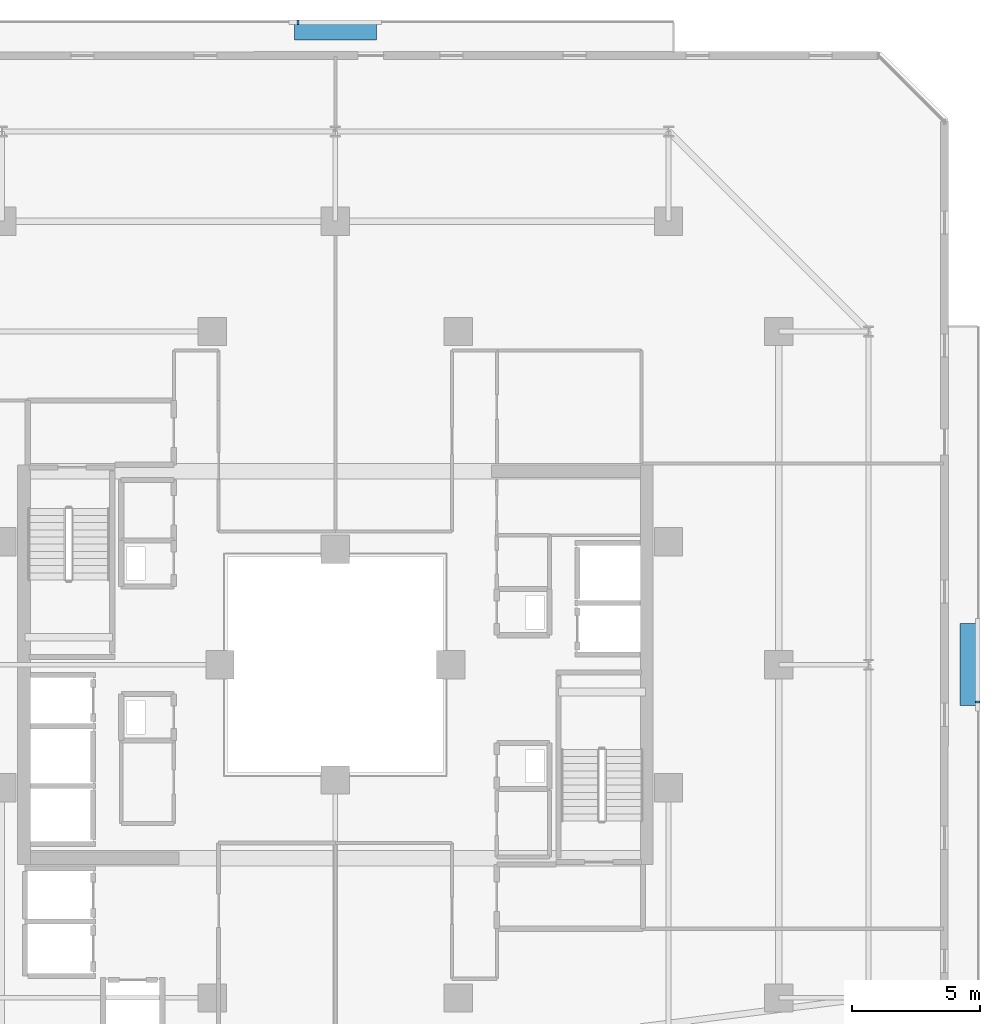
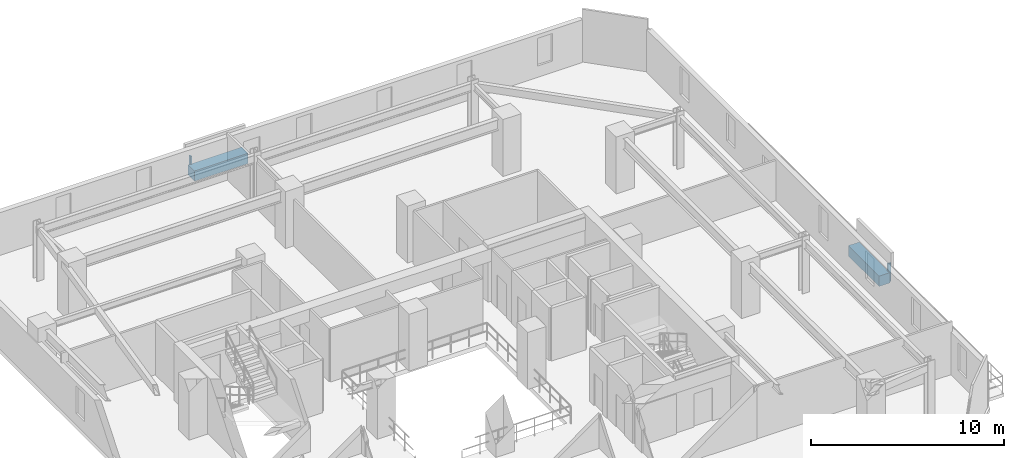
# One storey, part 28 of 32: 4 discrete accessories.
"""IFC4 building model written with IfcOpenShell, lengths in metres."""

from ifc_helpers import new_model, si_unit, direction, frame, origin, origin_2d, place, context, subcontext, project, spatial, rectangle, extrude, material, type_object, element, save


model = new_model("IFC4")

# Units and contexts
model_context = context("Model", 3, precision=1e-05, world=origin(), true_north=direction((0.0, 1.0)))
body_context = subcontext(model_context, "Body", "Model", "MODEL_VIEW")
ifc_project = project(units=[si_unit("LENGTHUNIT", "METRE"), si_unit("AREAUNIT", "SQUARE_METRE"), si_unit("VOLUMEUNIT", "CUBIC_METRE"), si_unit("PLANEANGLEUNIT", "RADIAN"), si_unit("MASSUNIT", "GRAM", prefix="KILO")], contexts=[model_context])

# Site, building, storey
site_placement = place(None, origin())
site = spatial("IfcSite", under=ifc_project, at=site_placement, CompositionType="ELEMENT")
building_placement = place(site_placement, origin())
building = spatial("IfcBuilding", under=site, at=building_placement, Name="Thornwick Lancets Civic Towers", CompositionType="ELEMENT")
storey_placement = place(building_placement, frame((0.0, 0.0, 152.699951171875)))
storey = spatial("IfcBuildingStorey", under=building, at=storey_placement, Name="L40", CompositionType="ELEMENT", Elevation=152.699951171875)

# Discrete accessories
ifc_material_1 = material(Name="Planted terracotta greenery planter", Category="masonry")
discrete_accessory_type_1 = type_object("IfcDiscreteAccessoryType", Name="ACC_PLANTER_BOX", PredefinedType="USERDEFINED", material=ifc_material_1)
discrete_accessory_1_placement = place(storey_placement, frame((113.199951171875, 27.0, 0.0), z_axis=(0.0, 0.0, 1.0), x_axis=(1.0, 0.0, 0.0)))
element("IfcDiscreteAccessory", 1, at=discrete_accessory_1_placement, inside=storey, type_object=discrete_accessory_type_1, Name="L40 Tower B Balcony Greenery Planter E", ObjectType="PLANTER", PredefinedType="USERDEFINED", context=body_context, shape_type="SweptSolid", body=[
    extrude(rectangle(XDim=0.64990234375, YDim=3.199951171875, at=origin_2d()), origin(), (0.0, 0.0, 1.0), 0.64990234375),
])
discrete_accessory_2_placement = place(storey_placement, frame((88.5, 51.699951171875, 0.0), z_axis=(0.0, 0.0, 1.0), x_axis=(1.0, 0.0, 0.0)))
element("IfcDiscreteAccessory", 2, at=discrete_accessory_2_placement, inside=storey, type_object=discrete_accessory_type_1, Name="L40 Tower B Balcony Greenery Planter N", ObjectType="PLANTER", PredefinedType="USERDEFINED", context=body_context, shape_type="SweptSolid", body=[
    extrude(rectangle(XDim=3.199951171875, YDim=0.64990234375, at=origin_2d()), origin(), (0.0, 0.0, 1.0), 0.64990234375),
])
ifc_material_2 = material(Name="Stainless steel S355", Category="steel")
discrete_accessory_type_2 = type_object("IfcDiscreteAccessoryType", Name="ACC_SCREEN_BRACKET", PredefinedType="BRACKET", material=ifc_material_2)
for number, where, z_axis, x_axis, name in (
    (3, (113.56005859375, 25.550048828125, 0.0), (0.0, 0.0, 1.0), (0.0, 1.0, 0.0), "L40 Tower B Balcony Screen Stanchion Bracket E-1"),
    (4, (87.050048828125, 52.06005859375, 0.0), (0.0, 0.0, 1.0), (1.0, 0.0, 0.0), "L40 Tower B Balcony Screen Stanchion Bracket N-1"),
):
    element("IfcDiscreteAccessory", number, at=place(storey_placement, frame(where, z_axis=z_axis, x_axis=x_axis)), inside=storey, type_object=discrete_accessory_type_2, Name=name, PredefinedType="BRACKET", context=body_context, shape_type="SweptSolid", body=[
        extrude(rectangle(XDim=0.080078125, YDim=0.179931640625, at=origin_2d()), origin(), (0.0, 0.0, 1.0), 1.14990234375),
    ])

save(model, "model.ifc")
